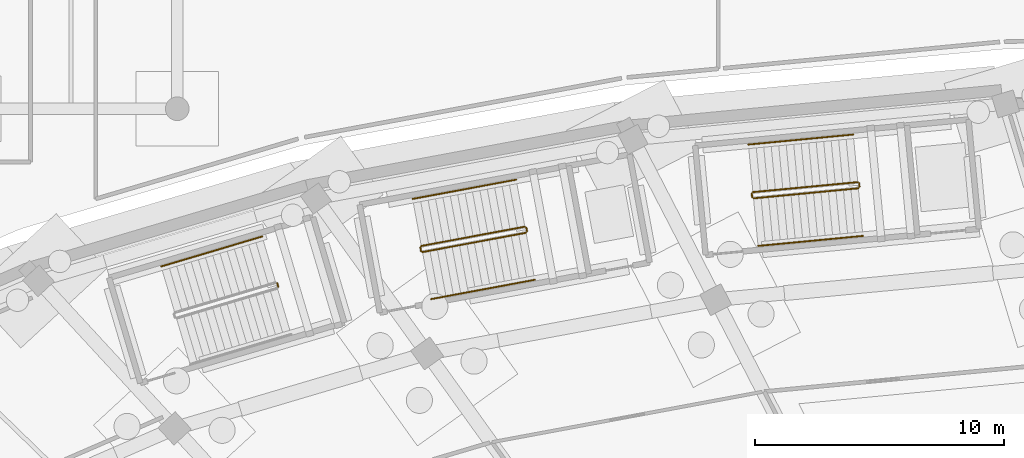
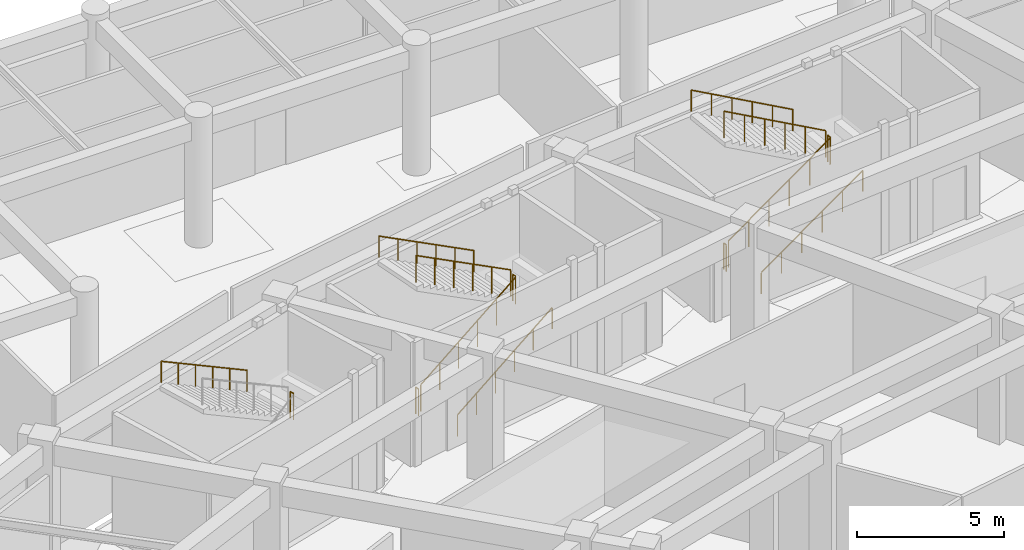
# One storey, part 84 of 88: 14 railings.
"""IFC4 building model written with IfcOpenShell, lengths in metres."""

import ifcopenshell
import ifcopenshell.guid

model = None  # the IFC model being written
_history = None  # IfcOwnerHistory: only IFC2X3 demands one
_inside = {}  # id of a spatial element -> (the spatial element, [elements in it])
_under = {}  # id of a project, library or spatial element -> (it, [spatial elements below it])
_declared = {}  # id of a project -> (the project, [libraries it declares])
_typed = {}  # id of a type object -> (the type object, [elements of that type])
_made_of = {}  # id of a material, layer set ... -> (it, [elements and type objects made of it])


def new_model(schema):
    """Start an empty IFC model of exactly this schema.

    Asked for "IFC4X3", IfcOpenShell would pick the latest addendum, in which some entities
    have other attributes; the version numbers below select the first issue.
    IFC2X3 requires an IfcOwnerHistory on every rooted entity: one is made here for all.
    """
    global model, _history
    if schema == "IFC4X3":
        model = ifcopenshell.file(schema_version=(4, 3, 0, 0))
    else:
        model = ifcopenshell.file(schema=schema)
    _inside.clear()
    _under.clear()
    _declared.clear()
    _typed.clear()
    _made_of.clear()
    _history = None
    if model.schema == "IFC2X3":
        org = make("IfcOrganization", Name="unknown")
        user = make(
            "IfcPersonAndOrganization",
            ThePerson=make("IfcPerson", FamilyName="unknown"),
            TheOrganization=org,
        )
        app = make(
            "IfcApplication",
            ApplicationDeveloper=org,
            Version="unknown",
            ApplicationFullName="unknown",
            ApplicationIdentifier="unknown",
        )
        _history = make(
            "IfcOwnerHistory",
            OwningUser=user,
            OwningApplication=app,
            ChangeAction="ADDED",
            CreationDate=0,
        )
    return model


def make(cls, **values):
    """One entity of the class cls with the attributes given. An attribute that is None is left unset."""
    return model.create_entity(
        cls, **{name: value for name, value in values.items() if value is not None}
    )


def rooted(cls, **values):
    """An entity with a GlobalId (a new one), such as an element, a storey or a relation."""
    return make(cls, GlobalId=ifcopenshell.guid.new(), OwnerHistory=_history, **values)


def si_unit(unit_type, name, prefix=None):
    """IfcSIUnit, for example si_unit("LENGTHUNIT", "METRE", prefix="MILLI")."""
    return make("IfcSIUnit", UnitType=unit_type, Prefix=prefix, Name=name)


def assignment(units):
    """IfcUnitAssignment: the units of a project."""
    return None if units is None else make("IfcUnitAssignment", Units=units)


def point(xyz):
    """IfcCartesianPoint."""
    return None if xyz is None else make("IfcCartesianPoint", Coordinates=xyz)


def direction(xyz):
    """IfcDirection."""
    return None if xyz is None else make("IfcDirection", DirectionRatios=xyz)


def frame(location, z_axis=None, x_axis=None):
    """IfcAxis2Placement3D, a coordinate frame: its origin and axes. An axis left out is left unset."""
    return make(
        "IfcAxis2Placement3D",
        Location=point(location),
        Axis=direction(z_axis),
        RefDirection=direction(x_axis),
    )


def frame_2d(location, x_axis=None):
    """IfcAxis2Placement2D, a coordinate frame in the plane: its origin and x axis."""
    return make(
        "IfcAxis2Placement2D", Location=point(location), RefDirection=direction(x_axis)
    )


def origin():
    """The frame at (0, 0, 0) with its axes left unset."""
    return frame((0.0, 0.0, 0.0))


def origin_2d():
    """The frame at (0, 0) in the plane with its x axis left unset."""
    return frame_2d((0.0, 0.0))


def place(relative_to, where):
    """IfcLocalPlacement: puts the frame where relative to a parent placement (None: the world)."""
    return make(
        "IfcLocalPlacement", PlacementRelTo=relative_to, RelativePlacement=where
    )


def context(
    kind, dimensions, precision=None, world=None, true_north=None, identifier=None
):
    """IfcGeometricRepresentationContext, for example the 3D "Model" context."""
    return make(
        "IfcGeometricRepresentationContext",
        ContextIdentifier=identifier,
        ContextType=kind,
        CoordinateSpaceDimension=dimensions,
        Precision=precision,
        WorldCoordinateSystem=world,
        TrueNorth=true_north,
    )


def subcontext(parent, identifier, kind, view, scale=None):
    """IfcGeometricRepresentationSubContext, for example "Body" below "Model"."""
    return make(
        "IfcGeometricRepresentationSubContext",
        ContextIdentifier=identifier,
        ContextType=kind,
        ParentContext=parent,
        TargetScale=scale,
        TargetView=view,
    )


def project(units=None, contexts=None):
    """IfcProject with its units and contexts."""
    return rooted(
        "IfcProject",
        Name="project",
        RepresentationContexts=contexts,
        UnitsInContext=assignment(units),
    )


def spatial(cls, under=None, at=None, **own):
    """A site, building, storey or space (cls), placed at a placement, below another one or the project."""
    s = rooted(cls, ObjectPlacement=at, **own)
    if under is not None:
        _under.setdefault(under.id(), (under, []))[1].append(s)
    return s


def profile(cls, at=None, kind="AREA", **sizes):
    """A parametric profile (cls). Its sizes go by their IFC names, for example OverallWidth=200.0."""
    return make(cls, ProfileType=kind, Position=at, **sizes)


def circle(**sizes):
    """IfcCircleProfileDef."""
    return profile("IfcCircleProfileDef", **sizes)


def extrude(swept, where, along, depth):
    """IfcExtrudedAreaSolid: the profile swept, set in the frame where, extruded along a direction by depth."""
    return make(
        "IfcExtrudedAreaSolid",
        SweptArea=swept,
        Position=where,
        ExtrudedDirection=direction(along),
        Depth=depth,
    )


def shape(context_of_items, identifier, shape_type, items):
    """IfcShapeRepresentation: the items that make up one representation, for example the "Body"."""
    return make(
        "IfcShapeRepresentation",
        ContextOfItems=context_of_items,
        RepresentationIdentifier=identifier,
        RepresentationType=shape_type,
        Items=items,
    )


def material(Name=None, Category=None):
    """IfcMaterial."""
    return make("IfcMaterial", Name=Name, Category=Category)


def made_of(thing, what):
    """Note that an element or type object is made of a material, layer set ...; save() writes the relation."""
    if what is not None:
        _made_of.setdefault(what.id(), (what, []))[1].append(thing)
    return thing


def type_object(cls, material=None, **own):
    """A type object (cls), such as IfcWallType, which elements share."""
    return made_of(rooted(cls, **own), material)


def element(
    cls,
    number,
    at=None,
    inside=None,
    cuts=None,
    type_object=None,
    material=None,
    context=None,
    identifier="Body",
    shape_type=None,
    held_by="IfcProductDefinitionShape",
    body=None,
    shapes=None,
    **own,
):
    """One element of the class cls, such as IfcWall. Its Tag is "e" and its number.

    at: its placement. inside: the storey or other place that contains it. cuts: it is an
    opening in that element (IfcRelVoidsElement). A single representation is given by context,
    identifier, shape_type and body (its items); several are given by shapes. held_by: the class
    of the entity that holds the representations. save() writes the other relations.
    """
    e = rooted(cls, Tag="e%d" % number, ObjectPlacement=at, **own)
    if body is not None:
        shapes = [shape(context, identifier, shape_type, body)]
    if shapes is not None:
        e.Representation = make(held_by, Representations=shapes)
    if inside is not None:
        _inside.setdefault(inside.id(), (inside, []))[1].append(e)
    if cuts is not None:
        rooted(
            "IfcRelVoidsElement", RelatingBuildingElement=cuts, RelatedOpeningElement=e
        )
    if type_object is not None:
        _typed.setdefault(type_object.id(), (type_object, []))[1].append(e)
    return made_of(e, material)


def aggregate(whole, parts):
    """IfcRelAggregates: a whole, such as a stair, and the parts it consists of."""
    return rooted("IfcRelAggregates", RelatingObject=whole, RelatedObjects=parts)


def save(model, path):
    """Write the relations noted so far, then the file.

    IfcRelAggregates (storeys below a building ...), IfcRelContainedInSpatialStructure (elements
    in a storey), IfcRelDefinesByType, IfcRelAssociatesMaterial and IfcRelDeclares: one each for
    every whole, place, type object, material and project.
    """
    for whole, parts in _under.values():
        aggregate(whole, parts)
    for where, things in _inside.values():
        rooted(
            "IfcRelContainedInSpatialStructure",
            RelatedElements=things,
            RelatingStructure=where,
        )
    for kind, things in _typed.values():
        rooted("IfcRelDefinesByType", RelatedObjects=things, RelatingType=kind)
    for what, things in _made_of.values():
        rooted("IfcRelAssociatesMaterial", RelatedObjects=things, RelatingMaterial=what)
    for by, libraries in _declared.values():
        rooted("IfcRelDeclares", RelatingContext=by, RelatedDefinitions=libraries)
    model.write(path)


model = new_model("IFC4")

# Units and contexts
model_context = context("Model", 3, precision=1e-05, world=origin(), true_north=direction((0.0, 1.0)))
body_context = subcontext(model_context, "Body", "Model", "MODEL_VIEW")
ifc_project = project(units=[si_unit("LENGTHUNIT", "METRE"), si_unit("AREAUNIT", "SQUARE_METRE"), si_unit("VOLUMEUNIT", "CUBIC_METRE"), si_unit("PLANEANGLEUNIT", "RADIAN"), si_unit("MASSUNIT", "GRAM", prefix="KILO")], contexts=[model_context])

# Site, building, storey
site_placement = place(None, origin())
site = spatial("IfcSite", under=ifc_project, at=site_placement, CompositionType="ELEMENT")
building_placement = place(site_placement, origin())
building = spatial("IfcBuilding", under=site, at=building_placement, Name="Mphavela Belvedere Stadium", CompositionType="ELEMENT")
storey_placement = place(building_placement, origin())
storey = spatial("IfcBuildingStorey", under=building, at=storey_placement, Name="L00", CompositionType="ELEMENT", Elevation=0.0)

# Railings
ifc_material_1 = material(Name="Painted galvanised steel stair guardrail", Category="steel")
railing_type_1 = type_object("IfcRailingType", Name="RAL-GUARD-1120", PredefinedType="GUARDRAIL", material=ifc_material_1)
railing_1_placement = place(storey_placement, frame((69.47607421875, 154.24609375, 0.179931640625)))
element("IfcRailing", 1, at=railing_1_placement, inside=storey, type_object=railing_type_1, Name="L00 ST-C02 stair guard 1", PredefinedType="GUARDRAIL", context=body_context, shape_type="SweptSolid", body=[
    extrude(circle(Radius=0.02392578125, at=origin_2d()), frame((0.0, 0.0, 1.09619140625), z_axis=(0.844469166388, 0.1572870324, 0.51198888314), x_axis=(-0.183106500193, 0.98309308287, 0.0)), (0.0, 0.0, 1.0), 4.922119140625),
    extrude(circle(Radius=0.02099609375, at=origin_2d()), origin(), (0.0, 0.0, 1.0), 1.072021484375),
    extrude(circle(Radius=0.02099609375, at=origin_2d()), frame((0.831298828125, 0.15478515625, 0.50390625)), (0.0, 0.0, 1.0), 1.072021484375),
    extrude(circle(Radius=0.02099609375, at=origin_2d()), frame((1.66259765625, 0.3095703125, 1.008056640625)), (0.0, 0.0, 1.0), 1.072021484375),
    extrude(circle(Radius=0.02099609375, at=origin_2d()), frame((2.493896484375, 0.464599609375, 1.511962890625)), (0.0, 0.0, 1.0), 1.072021484375),
    extrude(circle(Radius=0.02099609375, at=origin_2d()), frame((3.3251953125, 0.619384765625, 2.01611328125)), (0.0, 0.0, 1.0), 1.072021484375),
    extrude(circle(Radius=0.02099609375, at=origin_2d()), frame((4.156494140625, 0.774169921875, 2.52001953125)), (0.0, 0.0, 1.0), 1.072021484375),
])
railing_2_placement = place(storey_placement, frame((73.672607421875, 155.07861328125, 2.699951171875)))
element("IfcRailing", 2, at=railing_2_placement, inside=storey, type_object=railing_type_1, Name="L00 ST-C02 stair guard 2", PredefinedType="GUARDRAIL", context=body_context, shape_type="SweptSolid", body=[
    extrude(circle(Radius=0.02392578125, at=origin_2d()), frame((0.0, 0.0, 1.09619140625), z_axis=(-0.183895489382, 0.982945801652, 0.0), x_axis=(-0.982945801652, -0.183895489382, 0.0)), (0.0, 0.0, 1.0), 0.14990234375),
    extrude(circle(Radius=0.02099609375, at=origin_2d()), origin(), (0.0, 0.0, 1.0), 1.072021484375),
    extrude(circle(Radius=0.02099609375, at=origin_2d()), frame((-0.027587890625, 0.1474609375, 0.0)), (0.0, 0.0, 1.0), 1.072021484375),
])
railing_3_placement = place(storey_placement, frame((73.586669921875, 155.26611328125, 2.8798828125)))
element("IfcRailing", 3, at=railing_3_placement, inside=storey, type_object=railing_type_1, Name="L00 ST-C02 stair guard 3", PredefinedType="GUARDRAIL", context=body_context, shape_type="SweptSolid", body=[
    extrude(circle(Radius=0.02392578125, at=origin_2d()), frame((0.0, 0.0, 1.09619140625), z_axis=(-0.844469166388, -0.1572870324, 0.51198888314), x_axis=(0.183106500193, -0.98309308287, 0.0)), (0.0, 0.0, 1.0), 4.922119140625),
    extrude(circle(Radius=0.02099609375, at=origin_2d()), origin(), (0.0, 0.0, 1.0), 1.072021484375),
    extrude(circle(Radius=0.02099609375, at=origin_2d()), frame((-0.831298828125, -0.15478515625, 0.50390625)), (0.0, 0.0, 1.0), 1.072021484375),
    extrude(circle(Radius=0.02099609375, at=origin_2d()), frame((-1.66259765625, -0.3095703125, 1.008056640625)), (0.0, 0.0, 1.0), 1.072021484375),
    extrude(circle(Radius=0.02099609375, at=origin_2d()), frame((-2.493896484375, -0.464599609375, 1.511962890625)), (0.0, 0.0, 1.0), 1.072021484375),
    extrude(circle(Radius=0.02099609375, at=origin_2d()), frame((-3.3251953125, -0.619384765625, 2.01611328125)), (0.0, 0.0, 1.0), 1.072021484375),
    extrude(circle(Radius=0.02099609375, at=origin_2d()), frame((-4.156494140625, -0.774169921875, 2.52001953125)), (0.0, 0.0, 1.0), 1.072021484375),
])
railing_4_placement = place(storey_placement, frame((69.417724609375, 154.2861328125, 0.0)))
element("IfcRailing", 4, at=railing_4_placement, inside=storey, type_object=railing_type_1, Name="L00 ST-C02 stair guard 4", PredefinedType="GUARDRAIL", context=body_context, shape_type="SweptSolid", body=[
    extrude(circle(Radius=0.02392578125, at=origin_2d()), frame((0.0, 0.0, 1.09619140625), z_axis=(-0.183895489382, 0.982945801652, 0.0), x_axis=(-0.982945801652, -0.183895489382, 0.0)), (0.0, 0.0, 1.0), 0.14990234375),
    extrude(circle(Radius=0.02099609375, at=origin_2d()), origin(), (0.0, 0.0, 1.0), 1.072021484375),
    extrude(circle(Radius=0.02099609375, at=origin_2d()), frame((-0.027587890625, 0.1474609375, 0.0)), (0.0, 0.0, 1.0), 1.072021484375),
])
railing_5_placement = place(storey_placement, frame((82.765869140625, 156.4033203125, 0.179931640625)))
element("IfcRailing", 5, at=railing_5_placement, inside=storey, type_object=railing_type_1, Name="L00 ST-C04 stair guard 1", PredefinedType="GUARDRAIL", context=body_context, shape_type="SweptSolid", body=[
    extrude(circle(Radius=0.02392578125, at=origin_2d()), frame((0.0, 0.0, 1.09619140625), z_axis=(0.855101521218, 0.081596496456, 0.511999414236), x_axis=(-0.094991671248, 0.995478067259, 0.0)), (0.0, 0.0, 1.0), 4.921875),
    extrude(circle(Radius=0.02099609375, at=origin_2d()), origin(), (0.0, 0.0, 1.0), 1.072021484375),
    extrude(circle(Radius=0.02099609375, at=origin_2d()), frame((0.841796875, 0.080322265625, 0.50390625)), (0.0, 0.0, 1.0), 1.072021484375),
    extrude(circle(Radius=0.02099609375, at=origin_2d()), frame((1.68359375, 0.16064453125, 1.008056640625)), (0.0, 0.0, 1.0), 1.072021484375),
    extrude(circle(Radius=0.02099609375, at=origin_2d()), frame((2.525146484375, 0.240966796875, 1.511962890625)), (0.0, 0.0, 1.0), 1.072021484375),
    extrude(circle(Radius=0.02099609375, at=origin_2d()), frame((3.366943359375, 0.3212890625, 2.01611328125)), (0.0, 0.0, 1.0), 1.072021484375),
    extrude(circle(Radius=0.02099609375, at=origin_2d()), frame((4.208740234375, 0.401611328125, 2.52001953125)), (0.0, 0.0, 1.0), 1.072021484375),
])
railing_6_placement = place(storey_placement, frame((87.019775390625, 156.859375, 2.699951171875)))
element("IfcRailing", 6, at=railing_6_placement, inside=storey, type_object=railing_type_1, Name="L00 ST-C04 stair guard 2", PredefinedType="GUARDRAIL", context=body_context, shape_type="SweptSolid", body=[
    extrude(circle(Radius=0.02392578125, at=origin_2d()), frame((0.0, 0.0, 1.09619140625), z_axis=(-0.095960333934, 0.995385158776, 0.0), x_axis=(-0.995385158776, -0.095960333934, 0.0)), (0.0, 0.0, 1.0), 0.150146484375),
    extrude(circle(Radius=0.02099609375, at=origin_2d()), origin(), (0.0, 0.0, 1.0), 1.072021484375),
    extrude(circle(Radius=0.02099609375, at=origin_2d()), frame((-0.014404296875, 0.1494140625, 0.0)), (0.0, 0.0, 1.0), 1.072021484375),
])
railing_7_placement = place(storey_placement, frame((86.950927734375, 157.0537109375, 2.8798828125)))
element("IfcRailing", 7, at=railing_7_placement, inside=storey, type_object=railing_type_1, Name="L00 ST-C04 stair guard 3", PredefinedType="GUARDRAIL", context=body_context, shape_type="SweptSolid", body=[
    extrude(circle(Radius=0.02392578125, at=origin_2d()), frame((0.0, 0.0, 1.09619140625), z_axis=(-0.855114853653, -0.08159303563, 0.511977698341), x_axis=(0.094986211004, -0.995478588278, 0.0)), (0.0, 0.0, 1.0), 4.922119140625),
    extrude(circle(Radius=0.02099609375, at=origin_2d()), origin(), (0.0, 0.0, 1.0), 1.072021484375),
    extrude(circle(Radius=0.02099609375, at=origin_2d()), frame((-0.841796875, -0.080322265625, 0.50390625)), (0.0, 0.0, 1.0), 1.072021484375),
    extrude(circle(Radius=0.02099609375, at=origin_2d()), frame((-1.68359375, -0.16064453125, 1.008056640625)), (0.0, 0.0, 1.0), 1.072021484375),
    extrude(circle(Radius=0.02099609375, at=origin_2d()), frame((-2.525390625, -0.240966796875, 1.511962890625)), (0.0, 0.0, 1.0), 1.072021484375),
    extrude(circle(Radius=0.02099609375, at=origin_2d()), frame((-3.3671875, -0.3212890625, 2.01611328125)), (0.0, 0.0, 1.0), 1.072021484375),
    extrude(circle(Radius=0.02099609375, at=origin_2d()), frame((-4.208984375, -0.401611328125, 2.52001953125)), (0.0, 0.0, 1.0), 1.072021484375),
])
railing_8_placement = place(storey_placement, frame((82.711181640625, 156.448486328125, 0.0)))
element("IfcRailing", 8, at=railing_8_placement, inside=storey, type_object=railing_type_1, Name="L00 ST-C04 stair guard 4", PredefinedType="GUARDRAIL", context=body_context, shape_type="SweptSolid", body=[
    extrude(circle(Radius=0.02392578125, at=origin_2d()), frame((0.0, 0.0, 1.09619140625), z_axis=(-0.094501527919, 0.995524716529, 0.0), x_axis=(-0.995524716529, -0.094501527919, 0.0)), (0.0, 0.0, 1.0), 0.14990234375),
    extrude(circle(Radius=0.02099609375, at=origin_2d()), origin(), (0.0, 0.0, 1.0), 1.072021484375),
    extrude(circle(Radius=0.02099609375, at=origin_2d()), frame((-0.01416015625, 0.149169921875, 0.0)), (0.0, 0.0, 1.0), 1.072021484375),
])
railing_9_placement = place(storey_placement, frame((63.68701171875, 152.851318359375, 2.699951171875)))
element("IfcRailing", 9, at=railing_9_placement, inside=storey, type_object=railing_type_1, Name="L00 ST-P03 stair guard 2", PredefinedType="GUARDRAIL", context=body_context, shape_type="SweptSolid", body=[
    extrude(circle(Radius=0.02392578125, at=origin_2d()), frame((0.0, 0.0, 1.09619140625), z_axis=(-0.284808608521, 0.958584402394, 0.0), x_axis=(-0.958584402394, -0.284808608521, 0.0)), (0.0, 0.0, 1.0), 0.14990234375),
    extrude(circle(Radius=0.02099609375, at=origin_2d()), origin(), (0.0, 0.0, 1.0), 1.072021484375),
    extrude(circle(Radius=0.02099609375, at=origin_2d()), frame((-0.042724609375, 0.143798828125, 0.0)), (0.0, 0.0, 1.0), 1.072021484375),
])
ifc_material_2 = material(Name="Brushed stainless steel tubular handrail", Category="steel")
railing_type_2 = type_object("IfcRailingType", Name="RAL-HANDRAIL-900", PredefinedType="HANDRAIL", material=ifc_material_2)
railing_10_placement = place(storey_placement, frame((69.827392578125, 152.358642578125, 0.179931640625)))
element("IfcRailing", 10, at=railing_10_placement, inside=storey, type_object=railing_type_2, Name="L00 ST-C02 stair handrail 1", PredefinedType="HANDRAIL", context=body_context, shape_type="SweptSolid", body=[
    extrude(circle(Radius=0.02392578125, at=origin_2d()), frame((0.0, 0.0, 0.8759765625), z_axis=(0.844483394828, 0.15728044432, 0.511967438119), x_axis=(-0.183096106217, 0.983095018749, 0.0)), (0.0, 0.0, 1.0), 4.922119140625),
    extrude(circle(Radius=0.02099609375, at=origin_2d()), origin(), (0.0, 0.0, 1.0), 0.851806640625),
    extrude(circle(Radius=0.02099609375, at=origin_2d()), frame((0.831298828125, 0.15478515625, 0.50390625)), (0.0, 0.0, 1.0), 0.851806640625),
    extrude(circle(Radius=0.02099609375, at=origin_2d()), frame((1.66259765625, 0.3095703125, 1.008056640625)), (0.0, 0.0, 1.0), 0.851806640625),
    extrude(circle(Radius=0.02099609375, at=origin_2d()), frame((2.494140625, 0.464599609375, 1.511962890625)), (0.0, 0.0, 1.0), 0.851806640625),
    extrude(circle(Radius=0.02099609375, at=origin_2d()), frame((3.325439453125, 0.619384765625, 2.01611328125)), (0.0, 0.0, 1.0), 0.851806640625),
    extrude(circle(Radius=0.02099609375, at=origin_2d()), frame((4.15673828125, 0.774169921875, 2.52001953125)), (0.0, 0.0, 1.0), 0.851806640625),
])
railing_11_placement = place(storey_placement, frame((73.235107421875, 157.153564453125, 2.8798828125)))
element("IfcRailing", 11, at=railing_11_placement, inside=storey, type_object=railing_type_2, Name="L00 ST-C02 stair handrail 2", PredefinedType="HANDRAIL", context=body_context, shape_type="SweptSolid", body=[
    extrude(circle(Radius=0.02392578125, at=origin_2d()), frame((0.0, 0.0, 0.8759765625), z_axis=(-0.844469166388, -0.1572870324, 0.51198888314), x_axis=(0.183106500193, -0.98309308287, 0.0)), (0.0, 0.0, 1.0), 4.922119140625),
    extrude(circle(Radius=0.02099609375, at=origin_2d()), origin(), (0.0, 0.0, 1.0), 0.851806640625),
    extrude(circle(Radius=0.02099609375, at=origin_2d()), frame((-0.831298828125, -0.15478515625, 0.50390625)), (0.0, 0.0, 1.0), 0.851806640625),
    extrude(circle(Radius=0.02099609375, at=origin_2d()), frame((-1.66259765625, -0.3095703125, 1.008056640625)), (0.0, 0.0, 1.0), 0.851806640625),
    extrude(circle(Radius=0.02099609375, at=origin_2d()), frame((-2.493896484375, -0.464599609375, 1.511962890625)), (0.0, 0.0, 1.0), 0.851806640625),
    extrude(circle(Radius=0.02099609375, at=origin_2d()), frame((-3.3251953125, -0.619384765625, 2.01611328125)), (0.0, 0.0, 1.0), 0.851806640625),
    extrude(circle(Radius=0.02099609375, at=origin_2d()), frame((-4.156494140625, -0.774169921875, 2.52001953125)), (0.0, 0.0, 1.0), 0.851806640625),
])
railing_12_placement = place(storey_placement, frame((82.947998046875, 154.491943359375, 0.179931640625)))
element("IfcRailing", 12, at=railing_12_placement, inside=storey, type_object=railing_type_2, Name="L00 ST-C04 stair handrail 1", PredefinedType="HANDRAIL", context=body_context, shape_type="SweptSolid", body=[
    extrude(circle(Radius=0.02392578125, at=origin_2d()), frame((0.0, 0.0, 0.8759765625), z_axis=(0.855114853653, 0.08159303563, 0.511977698341), x_axis=(-0.094986211004, 0.995478588278, 0.0)), (0.0, 0.0, 1.0), 4.922119140625),
    extrude(circle(Radius=0.02099609375, at=origin_2d()), origin(), (0.0, 0.0, 1.0), 0.851806640625),
    extrude(circle(Radius=0.02099609375, at=origin_2d()), frame((0.841796875, 0.080322265625, 0.50390625)), (0.0, 0.0, 1.0), 0.851806640625),
    extrude(circle(Radius=0.02099609375, at=origin_2d()), frame((1.68359375, 0.16064453125, 1.008056640625)), (0.0, 0.0, 1.0), 0.851806640625),
    extrude(circle(Radius=0.02099609375, at=origin_2d()), frame((2.525390625, 0.240966796875, 1.511962890625)), (0.0, 0.0, 1.0), 0.851806640625),
    extrude(circle(Radius=0.02099609375, at=origin_2d()), frame((3.3671875, 0.3212890625, 2.01611328125)), (0.0, 0.0, 1.0), 0.851806640625),
    extrude(circle(Radius=0.02099609375, at=origin_2d()), frame((4.208984375, 0.401611328125, 2.52001953125)), (0.0, 0.0, 1.0), 0.851806640625),
])
railing_13_placement = place(storey_placement, frame((86.7685546875, 158.965087890625, 2.8798828125)))
element("IfcRailing", 13, at=railing_13_placement, inside=storey, type_object=railing_type_2, Name="L00 ST-C04 stair handrail 2", PredefinedType="HANDRAIL", context=body_context, shape_type="SweptSolid", body=[
    extrude(circle(Radius=0.02392578125, at=origin_2d()), frame((0.0, 0.0, 0.8759765625), z_axis=(-0.855114853653, -0.08159303563, 0.511977698341), x_axis=(0.094986211004, -0.995478588278, 0.0)), (0.0, 0.0, 1.0), 4.922119140625),
    extrude(circle(Radius=0.02099609375, at=origin_2d()), origin(), (0.0, 0.0, 1.0), 0.851806640625),
    extrude(circle(Radius=0.02099609375, at=origin_2d()), frame((-0.841796875, -0.080322265625, 0.50390625)), (0.0, 0.0, 1.0), 0.851806640625),
    extrude(circle(Radius=0.02099609375, at=origin_2d()), frame((-1.68359375, -0.16064453125, 1.008056640625)), (0.0, 0.0, 1.0), 0.851806640625),
    extrude(circle(Radius=0.02099609375, at=origin_2d()), frame((-2.525390625, -0.240966796875, 1.511962890625)), (0.0, 0.0, 1.0), 0.851806640625),
    extrude(circle(Radius=0.02099609375, at=origin_2d()), frame((-3.3671875, -0.3212890625, 2.01611328125)), (0.0, 0.0, 1.0), 0.851806640625),
    extrude(circle(Radius=0.02099609375, at=origin_2d()), frame((-4.208984375, -0.401611328125, 2.52001953125)), (0.0, 0.0, 1.0), 0.851806640625),
])
railing_14_placement = place(storey_placement, frame((63.035888671875, 154.86962890625, 2.8798828125)))
element("IfcRailing", 14, at=railing_14_placement, inside=storey, type_object=railing_type_2, Name="L00 ST-P03 stair handrail 2", PredefinedType="HANDRAIL", context=body_context, shape_type="SweptSolid", body=[
    extrude(circle(Radius=0.02392578125, at=origin_2d()), frame((0.0, 0.0, 0.8759765625), z_axis=(-0.823481845254, -0.244435521829, 0.511985279286), x_axis=(0.284560146633, -0.958658188797, 0.0)), (0.0, 0.0, 1.0), 4.922119140625),
    extrude(circle(Radius=0.02099609375, at=origin_2d()), origin(), (0.0, 0.0, 1.0), 0.851806640625),
    extrude(circle(Radius=0.02099609375, at=origin_2d()), frame((-0.810546875, -0.24072265625, 0.50390625)), (0.0, 0.0, 1.0), 0.851806640625),
    extrude(circle(Radius=0.02099609375, at=origin_2d()), frame((-1.621337890625, -0.481201171875, 1.008056640625)), (0.0, 0.0, 1.0), 0.851806640625),
    extrude(circle(Radius=0.02099609375, at=origin_2d()), frame((-2.431884765625, -0.721923828125, 1.511962890625)), (0.0, 0.0, 1.0), 0.851806640625),
    extrude(circle(Radius=0.02099609375, at=origin_2d()), frame((-3.24267578125, -0.96240234375, 2.01611328125)), (0.0, 0.0, 1.0), 0.851806640625),
    extrude(circle(Radius=0.02099609375, at=origin_2d()), frame((-4.05322265625, -1.203125, 2.52001953125)), (0.0, 0.0, 1.0), 0.851806640625),
])

save(model, "model.ifc")
